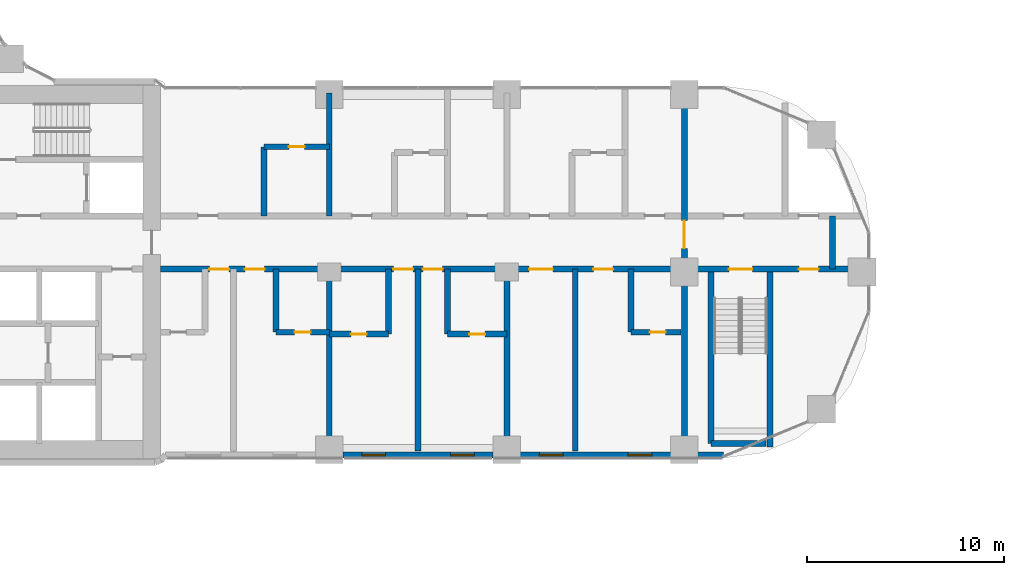
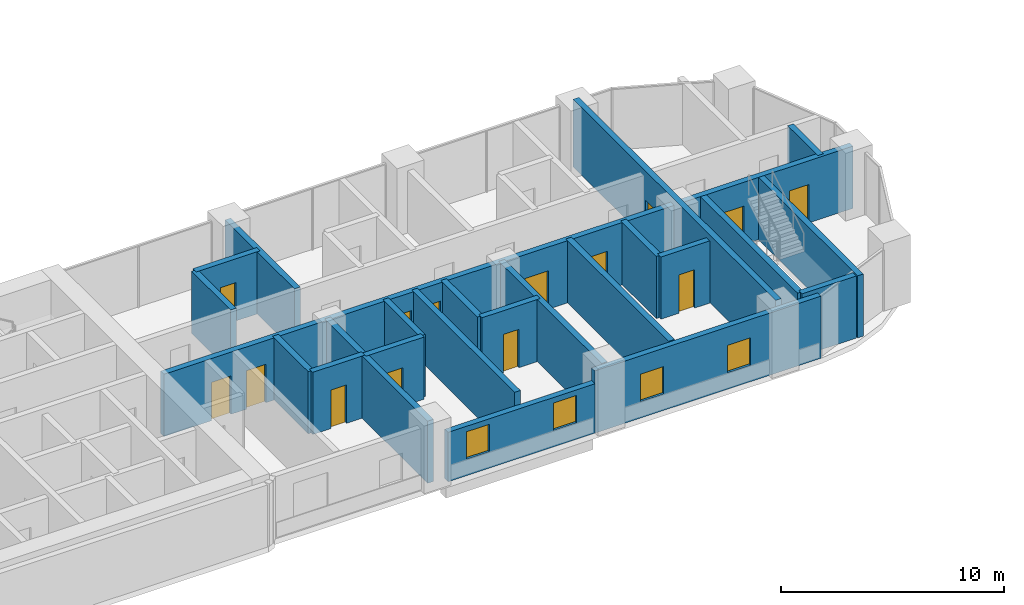
# One storey, part 18 of 31: 24 walls, 14 doors, 4 windows, 18 openings.
"""IFC4 building model written with IfcOpenShell, lengths in metres."""

import ifcopenshell
import ifcopenshell.guid

model = None  # the IFC model being written
_history = None  # IfcOwnerHistory: only IFC2X3 demands one
_inside = {}  # id of a spatial element -> (the spatial element, [elements in it])
_under = {}  # id of a project, library or spatial element -> (it, [spatial elements below it])
_declared = {}  # id of a project -> (the project, [libraries it declares])
_typed = {}  # id of a type object -> (the type object, [elements of that type])
_made_of = {}  # id of a material, layer set ... -> (it, [elements and type objects made of it])


def new_model(schema):
    """Start an empty IFC model of exactly this schema.

    Asked for "IFC4X3", IfcOpenShell would pick the latest addendum, in which some entities
    have other attributes; the version numbers below select the first issue.
    IFC2X3 requires an IfcOwnerHistory on every rooted entity: one is made here for all.
    """
    global model, _history
    if schema == "IFC4X3":
        model = ifcopenshell.file(schema_version=(4, 3, 0, 0))
    else:
        model = ifcopenshell.file(schema=schema)
    _inside.clear()
    _under.clear()
    _declared.clear()
    _typed.clear()
    _made_of.clear()
    _history = None
    if model.schema == "IFC2X3":
        org = make("IfcOrganization", Name="unknown")
        user = make(
            "IfcPersonAndOrganization",
            ThePerson=make("IfcPerson", FamilyName="unknown"),
            TheOrganization=org,
        )
        app = make(
            "IfcApplication",
            ApplicationDeveloper=org,
            Version="unknown",
            ApplicationFullName="unknown",
            ApplicationIdentifier="unknown",
        )
        _history = make(
            "IfcOwnerHistory",
            OwningUser=user,
            OwningApplication=app,
            ChangeAction="ADDED",
            CreationDate=0,
        )
    return model


def make(cls, **values):
    """One entity of the class cls with the attributes given. An attribute that is None is left unset."""
    return model.create_entity(
        cls, **{name: value for name, value in values.items() if value is not None}
    )


def rooted(cls, **values):
    """An entity with a GlobalId (a new one), such as an element, a storey or a relation."""
    return make(cls, GlobalId=ifcopenshell.guid.new(), OwnerHistory=_history, **values)


def si_unit(unit_type, name, prefix=None):
    """IfcSIUnit, for example si_unit("LENGTHUNIT", "METRE", prefix="MILLI")."""
    return make("IfcSIUnit", UnitType=unit_type, Prefix=prefix, Name=name)


def assignment(units):
    """IfcUnitAssignment: the units of a project."""
    return None if units is None else make("IfcUnitAssignment", Units=units)


def point(xyz):
    """IfcCartesianPoint."""
    return None if xyz is None else make("IfcCartesianPoint", Coordinates=xyz)


def direction(xyz):
    """IfcDirection."""
    return None if xyz is None else make("IfcDirection", DirectionRatios=xyz)


def frame(location, z_axis=None, x_axis=None):
    """IfcAxis2Placement3D, a coordinate frame: its origin and axes. An axis left out is left unset."""
    return make(
        "IfcAxis2Placement3D",
        Location=point(location),
        Axis=direction(z_axis),
        RefDirection=direction(x_axis),
    )


def frame_2d(location, x_axis=None):
    """IfcAxis2Placement2D, a coordinate frame in the plane: its origin and x axis."""
    return make(
        "IfcAxis2Placement2D", Location=point(location), RefDirection=direction(x_axis)
    )


def origin():
    """The frame at (0, 0, 0) with its axes left unset."""
    return frame((0.0, 0.0, 0.0))


def place(relative_to, where):
    """IfcLocalPlacement: puts the frame where relative to a parent placement (None: the world)."""
    return make(
        "IfcLocalPlacement", PlacementRelTo=relative_to, RelativePlacement=where
    )


def context(
    kind, dimensions, precision=None, world=None, true_north=None, identifier=None
):
    """IfcGeometricRepresentationContext, for example the 3D "Model" context."""
    return make(
        "IfcGeometricRepresentationContext",
        ContextIdentifier=identifier,
        ContextType=kind,
        CoordinateSpaceDimension=dimensions,
        Precision=precision,
        WorldCoordinateSystem=world,
        TrueNorth=true_north,
    )


def subcontext(parent, identifier, kind, view, scale=None):
    """IfcGeometricRepresentationSubContext, for example "Body" below "Model"."""
    return make(
        "IfcGeometricRepresentationSubContext",
        ContextIdentifier=identifier,
        ContextType=kind,
        ParentContext=parent,
        TargetScale=scale,
        TargetView=view,
    )


def project(units=None, contexts=None):
    """IfcProject with its units and contexts."""
    return rooted(
        "IfcProject",
        Name="project",
        RepresentationContexts=contexts,
        UnitsInContext=assignment(units),
    )


def spatial(cls, under=None, at=None, **own):
    """A site, building, storey or space (cls), placed at a placement, below another one or the project."""
    s = rooted(cls, ObjectPlacement=at, **own)
    if under is not None:
        _under.setdefault(under.id(), (under, []))[1].append(s)
    return s


def profile(cls, at=None, kind="AREA", **sizes):
    """A parametric profile (cls). Its sizes go by their IFC names, for example OverallWidth=200.0."""
    return make(cls, ProfileType=kind, Position=at, **sizes)


def rectangle(**sizes):
    """IfcRectangleProfileDef."""
    return profile("IfcRectangleProfileDef", **sizes)


def extrude(swept, where, along, depth):
    """IfcExtrudedAreaSolid: the profile swept, set in the frame where, extruded along a direction by depth."""
    return make(
        "IfcExtrudedAreaSolid",
        SweptArea=swept,
        Position=where,
        ExtrudedDirection=direction(along),
        Depth=depth,
    )


def shape(context_of_items, identifier, shape_type, items):
    """IfcShapeRepresentation: the items that make up one representation, for example the "Body"."""
    return make(
        "IfcShapeRepresentation",
        ContextOfItems=context_of_items,
        RepresentationIdentifier=identifier,
        RepresentationType=shape_type,
        Items=items,
    )


def material(Name=None, Category=None):
    """IfcMaterial."""
    return make("IfcMaterial", Name=Name, Category=Category)


def layer(
    of_material, thickness, ventilated=None, Name=None, Category=None, Priority=None
):
    """IfcMaterialLayer: one layer of a wall or slab, of a material (None: an air gap)."""
    return make(
        "IfcMaterialLayer",
        Material=of_material,
        LayerThickness=thickness,
        IsVentilated=ventilated,
        Name=Name,
        Category=Category,
        Priority=Priority,
    )


def layer_set(layers, Name=None):
    """IfcMaterialLayerSet."""
    return make("IfcMaterialLayerSet", MaterialLayers=layers, LayerSetName=Name)


def made_of(thing, what):
    """Note that an element or type object is made of a material, layer set ...; save() writes the relation."""
    if what is not None:
        _made_of.setdefault(what.id(), (what, []))[1].append(thing)
    return thing


def type_object(cls, material=None, **own):
    """A type object (cls), such as IfcWallType, which elements share."""
    return made_of(rooted(cls, **own), material)


def element(
    cls,
    number,
    at=None,
    inside=None,
    cuts=None,
    type_object=None,
    material=None,
    context=None,
    identifier="Body",
    shape_type=None,
    held_by="IfcProductDefinitionShape",
    body=None,
    shapes=None,
    **own,
):
    """One element of the class cls, such as IfcWall. Its Tag is "e" and its number.

    at: its placement. inside: the storey or other place that contains it. cuts: it is an
    opening in that element (IfcRelVoidsElement). A single representation is given by context,
    identifier, shape_type and body (its items); several are given by shapes. held_by: the class
    of the entity that holds the representations. save() writes the other relations.
    """
    e = rooted(cls, Tag="e%d" % number, ObjectPlacement=at, **own)
    if body is not None:
        shapes = [shape(context, identifier, shape_type, body)]
    if shapes is not None:
        e.Representation = make(held_by, Representations=shapes)
    if inside is not None:
        _inside.setdefault(inside.id(), (inside, []))[1].append(e)
    if cuts is not None:
        rooted(
            "IfcRelVoidsElement", RelatingBuildingElement=cuts, RelatedOpeningElement=e
        )
    if type_object is not None:
        _typed.setdefault(type_object.id(), (type_object, []))[1].append(e)
    return made_of(e, material)


def fill(opening, filler):
    """IfcRelFillsElement: the door or window that sits in an opening."""
    return rooted(
        "IfcRelFillsElement",
        RelatingOpeningElement=opening,
        RelatedBuildingElement=filler,
    )


def aggregate(whole, parts):
    """IfcRelAggregates: a whole, such as a stair, and the parts it consists of."""
    return rooted("IfcRelAggregates", RelatingObject=whole, RelatedObjects=parts)


def save(model, path):
    """Write the relations noted so far, then the file.

    IfcRelAggregates (storeys below a building ...), IfcRelContainedInSpatialStructure (elements
    in a storey), IfcRelDefinesByType, IfcRelAssociatesMaterial and IfcRelDeclares: one each for
    every whole, place, type object, material and project.
    """
    for whole, parts in _under.values():
        aggregate(whole, parts)
    for where, things in _inside.values():
        rooted(
            "IfcRelContainedInSpatialStructure",
            RelatedElements=things,
            RelatingStructure=where,
        )
    for kind, things in _typed.values():
        rooted("IfcRelDefinesByType", RelatedObjects=things, RelatingType=kind)
    for what, things in _made_of.values():
        rooted("IfcRelAssociatesMaterial", RelatedObjects=things, RelatingMaterial=what)
    for by, libraries in _declared.values():
        rooted("IfcRelDeclares", RelatingContext=by, RelatedDefinitions=libraries)
    model.write(path)


model = new_model("IFC4")

# Units and contexts
model_context = context("Model", 3, precision=1e-05, world=origin(), true_north=direction((0.0, 1.0)))
body_context = subcontext(model_context, "Body", "Model", "MODEL_VIEW")
ifc_project = project(units=[si_unit("LENGTHUNIT", "METRE"), si_unit("AREAUNIT", "SQUARE_METRE"), si_unit("VOLUMEUNIT", "CUBIC_METRE"), si_unit("PLANEANGLEUNIT", "RADIAN"), si_unit("MASSUNIT", "GRAM", prefix="KILO")], contexts=[model_context])

# Site, building, storey
site_placement = place(None, origin())
site = spatial("IfcSite", under=ifc_project, at=site_placement, CompositionType="ELEMENT")
building_placement = place(site_placement, origin())
building = spatial("IfcBuilding", under=site, at=building_placement, Name="Ogive Portal Towers", CompositionType="ELEMENT")
storey_placement = place(building_placement, frame((0.0, 0.0, 40.89990234375)))
storey = spatial("IfcBuildingStorey", under=building, at=storey_placement, Name="L08", CompositionType="ELEMENT", Elevation=40.89990234375)

# Wall, openings, windows
ifc_material_1 = material(Name="Limestone cladding on lightweight block wall", Category="masonry")
ifc_layer_1 = layer(ifc_material_1, 0.300048828125)
ifc_layer_set_1 = layer_set([ifc_layer_1], Name="EXTERNAL WALL 300 STONE")
wall_type_1 = type_object("IfcWallType", Name="EXTERNAL WALL 300 STONE", PredefinedType="SOLIDWALL", material=ifc_layer_set_1)
wall_1_placement = place(storey_placement, frame((68.199951171875, 21.22509765625, 0.0), z_axis=(0.0, 0.0, 1.0), x_axis=(1.0, 0.0, 0.0)))
wall_1 = element("IfcWall", 1, at=wall_1_placement, inside=storey, type_object=wall_type_1, Name="A:L08:f21:r0:wall1", PredefinedType="SOLIDWALL", context=body_context, shape_type="SweptSolid", body=[
    extrude(rectangle(XDim=7.60009765625, YDim=0.300048828125, at=frame_2d((3.800048828125, 0.0))), origin(), (0.0, 0.0, 1.0), 2.7001953125),
])
opening_1_placement = place(wall_1_placement, frame((0.949951171875, 0.0, 0.89990234375)))
opening_1 = element("IfcOpeningElement", 2, at=opening_1_placement, cuts=wall_1, Name="Opening WN9", PredefinedType="OPENING", context=body_context, shape_type="SweptSolid", body=[
    extrude(rectangle(XDim=1.199951171875, YDim=1.5, at=frame_2d((0.60009765625, 0.75))), frame((0.0, 0.16015625, 0.0), z_axis=(0.0, -1.0, 0.0), x_axis=(1.0, 0.0, 0.0)), (0.0, 0.0, 1.0), 0.320068359375),
])
opening_2_placement = place(wall_1_placement, frame((5.449951171875, 0.0, 0.89990234375)))
opening_2 = element("IfcOpeningElement", 3, at=opening_2_placement, cuts=wall_1, Name="Opening WN9", PredefinedType="OPENING", context=body_context, shape_type="SweptSolid", body=[
    extrude(rectangle(XDim=1.199951171875, YDim=1.5, at=frame_2d((0.60009765625, 0.75))), frame((0.0, 0.16015625, 0.0), z_axis=(0.0, -1.0, 0.0), x_axis=(1.0, 0.0, 0.0)), (0.0, 0.0, 1.0), 0.320068359375),
])
ifc_material_2 = material(Name="Glass, clear low-iron insulated glazing", Category="glass")
window_type = type_object("IfcWindowType", Name="WINDOW HOTEL CASEMENT 1200x1500", PartitioningType="DOUBLE_PANEL_VERTICAL", PredefinedType="WINDOW", material=ifc_material_2)
window_1_placement = place(opening_1_placement, origin())
window_1 = element("IfcWindow", 4, at=window_1_placement, inside=storey, type_object=window_type, Name="A:L08:f21:r0:w2", OverallHeight=1.5, OverallWidth=1.199951171875, PartitioningType="SINGLE_PANEL", PredefinedType="WINDOW", context=body_context, shape_type="SweptSolid", body=[
    extrude(rectangle(XDim=1.199951171875, YDim=1.5, at=frame_2d((0.60009765625, 0.75))), frame((0.0, 0.030029296875, 0.0), z_axis=(0.0, -1.0, 0.0), x_axis=(1.0, 0.0, 0.0)), (0.0, 0.0, 1.0), 0.06005859375),
])
fill(opening_1, window_1)
window_2_placement = place(opening_2_placement, origin())
window_2 = element("IfcWindow", 5, at=window_2_placement, inside=storey, type_object=window_type, Name="A:L08:f21:r0:w3", OverallHeight=1.5, OverallWidth=1.199951171875, PartitioningType="SINGLE_PANEL", PredefinedType="WINDOW", context=body_context, shape_type="SweptSolid", body=[
    extrude(rectangle(XDim=1.199951171875, YDim=1.5, at=frame_2d((0.60009765625, 0.75))), frame((0.0, 0.030029296875, 0.0), z_axis=(0.0, -1.0, 0.0), x_axis=(1.0, 0.0, 0.0)), (0.0, 0.0, 1.0), 0.06005859375),
])
fill(opening_2, window_2)

wall_2_placement = place(storey_placement, frame((75.800048828125, 21.22509765625, 0.0), z_axis=(0.0, 0.0, 1.0), x_axis=(1.0, 0.0, 0.0)))
wall_2 = element("IfcWall", 6, at=wall_2_placement, inside=storey, type_object=wall_type_1, Name="A:L08:f21:r0:wall2", PredefinedType="SOLIDWALL", context=body_context, shape_type="SweptSolid", body=[
    extrude(rectangle(XDim=11.68408203125, YDim=0.300048828125, at=frame_2d((5.842041015625, 0.0))), origin(), (0.0, 0.0, 1.0), 3.400146484375),
])
opening_3_placement = place(wall_2_placement, frame((2.35009765625, 0.0, 0.89990234375)))
opening_3 = element("IfcOpeningElement", 7, at=opening_3_placement, cuts=wall_2, Name="Opening WN9", PredefinedType="OPENING", context=body_context, shape_type="SweptSolid", body=[
    extrude(rectangle(XDim=1.199951171875, YDim=1.5, at=frame_2d((0.60009765625, 0.75))), frame((0.0, 0.16015625, 0.0), z_axis=(0.0, -1.0, 0.0), x_axis=(1.0, 0.0, 0.0)), (0.0, 0.0, 1.0), 0.320068359375),
])
opening_4_placement = place(wall_2_placement, frame((6.85009765625, 0.0, 0.89990234375)))
opening_4 = element("IfcOpeningElement", 8, at=opening_4_placement, cuts=wall_2, Name="Opening WN9", PredefinedType="OPENING", context=body_context, shape_type="SweptSolid", body=[
    extrude(rectangle(XDim=1.199951171875, YDim=1.5, at=frame_2d((0.60009765625, 0.75))), frame((0.0, 0.16015625, 0.0), z_axis=(0.0, -1.0, 0.0), x_axis=(1.0, 0.0, 0.0)), (0.0, 0.0, 1.0), 0.320068359375),
])
window_3_placement = place(opening_3_placement, origin())
window_3 = element("IfcWindow", 9, at=window_3_placement, inside=storey, type_object=window_type, Name="A:L08:f21:r0:w4", OverallHeight=1.5, OverallWidth=1.199951171875, PartitioningType="SINGLE_PANEL", PredefinedType="WINDOW", context=body_context, shape_type="SweptSolid", body=[
    extrude(rectangle(XDim=1.199951171875, YDim=1.5, at=frame_2d((0.60009765625, 0.75))), frame((0.0, 0.030029296875, 0.0), z_axis=(0.0, -1.0, 0.0), x_axis=(1.0, 0.0, 0.0)), (0.0, 0.0, 1.0), 0.06005859375),
])
fill(opening_3, window_3)
window_4_placement = place(opening_4_placement, origin())
window_4 = element("IfcWindow", 10, at=window_4_placement, inside=storey, type_object=window_type, Name="A:L08:f21:r0:w5", OverallHeight=1.5, OverallWidth=1.199951171875, PartitioningType="SINGLE_PANEL", PredefinedType="WINDOW", context=body_context, shape_type="SweptSolid", body=[
    extrude(rectangle(XDim=1.199951171875, YDim=1.5, at=frame_2d((0.60009765625, 0.75))), frame((0.0, 0.030029296875, 0.0), z_axis=(0.0, -1.0, 0.0), x_axis=(1.0, 0.0, 0.0)), (0.0, 0.0, 1.0), 0.06005859375),
])
fill(opening_4, window_4)

# Wall, opening, door
ifc_material_3 = material(Name="Concrete C60/75", Category="concrete")
ifc_layer_2 = layer(ifc_material_3, 0.300048828125)
ifc_layer_set_2 = layer_set([ifc_layer_2], Name="REVEAL WALL 300 C60")
wall_type_2 = type_object("IfcWallType", Name="REVEAL WALL 300 C60", PredefinedType="SHEAR", material=ifc_layer_set_2)
wall_3_placement = place(storey_placement, frame((85.5, 21.425048828125, 0.0), z_axis=(0.0, 0.0, 1.0), x_axis=(0.0, 1.0, 0.0)))
wall_3 = element("IfcWall", 11, at=wall_3_placement, inside=storey, type_object=wall_type_2, Name="Portal reveal wall L08", PredefinedType="SHEAR", context=body_context, shape_type="SweptSolid", body=[
    extrude(rectangle(XDim=18.14990234375, YDim=0.300048828125, at=frame_2d((9.074951171875, 0.0))), origin(), (0.0, 0.0, 1.0), 3.7001953125),
])
opening_5_placement = place(wall_3_placement, frame((10.27490234375, 0.0, 0.0)))
opening_5 = element("IfcOpeningElement", 12, at=opening_5_placement, cuts=wall_3, Name="Opening D01-072", PredefinedType="OPENING", context=body_context, shape_type="SweptSolid", body=[
    extrude(rectangle(XDim=1.39990234375, YDim=2.10009765625, at=frame_2d((0.699951171875, 1.050048828125))), frame((0.0, 0.16015625, 0.0), z_axis=(0.0, -1.0, 0.0), x_axis=(1.0, 0.0, 0.0)), (0.0, 0.0, 1.0), 0.320068359375),
])
ifc_material_4 = material(Name="Steel fire door", Category="steel")
door_type_1 = type_object("IfcDoorType", Name="DT-STAIR-1400x2100-FD90S", OperationType="SINGLE_SWING_LEFT", PredefinedType="DOOR", material=ifc_material_4)
door_1_placement = place(opening_5_placement, origin())
door_1 = element("IfcDoor", 13, at=door_1_placement, inside=storey, type_object=door_type_1, Name="Door D01-072", OperationType="SINGLE_SWING_RIGHT", OverallHeight=2.10009765625, OverallWidth=1.39990234375, PredefinedType="DOOR", context=body_context, shape_type="SweptSolid", body=[
    extrude(rectangle(XDim=1.39990234375, YDim=2.10009765625, at=frame_2d((0.699951171875, 1.050048828125))), frame((0.0, 0.02490234375, 0.0), z_axis=(0.0, -1.0, 0.0), x_axis=(1.0, 0.0, 0.0)), (0.0, 0.0, 1.0), 0.050048828125),
])
fill(opening_5, door_1)

# Wall
ifc_material_5 = material(Name="Concrete C50/60", Category="concrete")
ifc_layer_3 = layer(ifc_material_5, 0.300048828125)
ifc_layer_set_3 = layer_set([ifc_layer_3], Name="STAIR WALL 300 C50")
wall_type_3 = type_object("IfcWallType", Name="STAIR WALL 300 C50", PredefinedType="SHEAR", material=ifc_layer_set_3)
wall_4_placement = place(storey_placement, frame((86.85009765625, 21.800048828125, 0.0), z_axis=(0.0, 0.0, 1.0), x_axis=(1.0, 0.0, 0.0)))
element("IfcWall", 14, at=wall_4_placement, inside=storey, type_object=wall_type_3, Name="Stair wall ST-A4 L08", PredefinedType="SHEAR", context=body_context, shape_type="SweptSolid", body=[
    extrude(rectangle(XDim=2.796875, YDim=0.300048828125, at=frame_2d((1.3984375, 0.0))), origin(), (0.0, 0.0, 1.0), 3.400146484375),
])

# Wall, openings, doors
wall_5_placement = place(storey_placement, frame((85.669921875, 30.64990234375, 0.0), z_axis=(0.0, 0.0, 1.0), x_axis=(1.0, 0.0, 0.0)))
wall_5 = element("IfcWall", 15, at=wall_5_placement, inside=storey, type_object=wall_type_3, Name="Stair wall ST-A4 L08", PredefinedType="SHEAR", context=body_context, shape_type="SweptSolid", body=[
    extrude(rectangle(XDim=8.905029296875, YDim=0.300048828125, at=frame_2d((4.45263671875, 0.0))), origin(), (0.0, 0.0, 1.0), 3.400146484375),
])
opening_6_placement = place(wall_5_placement, frame((2.080078125, 0.0, 0.0)))
opening_6 = element("IfcOpeningElement", 16, at=opening_6_placement, cuts=wall_5, Name="Opening D01-067", PredefinedType="OPENING", context=body_context, shape_type="SweptSolid", body=[
    extrude(rectangle(XDim=1.199951171875, YDim=2.10009765625, at=frame_2d((0.60009765625, 1.050048828125))), frame((0.0, 0.16015625, 0.0), z_axis=(0.0, -1.0, 0.0), x_axis=(1.0, 0.0, 0.0)), (0.0, 0.0, 1.0), 0.320068359375),
])
opening_7_placement = place(wall_5_placement, frame((5.6298828125, 0.0, 0.0)))
opening_7 = element("IfcOpeningElement", 17, at=opening_7_placement, cuts=wall_5, Name="Opening D01-070", PredefinedType="OPENING", context=body_context, shape_type="SweptSolid", body=[
    extrude(rectangle(XDim=1.0, YDim=2.10009765625, at=frame_2d((0.5, 1.050048828125))), frame((0.0, 0.16015625, 0.0), z_axis=(0.0, -1.0, 0.0), x_axis=(1.0, 0.0, 0.0)), (0.0, 0.0, 1.0), 0.320068359375),
])
door_type_2 = type_object("IfcDoorType", Name="DT-SERVICE-1000x2100-FD90S", OperationType="SINGLE_SWING_LEFT", PredefinedType="DOOR", material=ifc_material_4)
door_2_placement = place(opening_7_placement, origin())
door_2 = element("IfcDoor", 18, at=door_2_placement, inside=storey, type_object=door_type_2, Name="Door D01-070", OperationType="SINGLE_SWING_LEFT", OverallHeight=2.10009765625, OverallWidth=1.0, PredefinedType="DOOR", context=body_context, shape_type="SweptSolid", body=[
    extrude(rectangle(XDim=1.0, YDim=2.10009765625, at=frame_2d((0.5, 1.050048828125))), frame((0.0, 0.02490234375, 0.0), z_axis=(0.0, -1.0, 0.0), x_axis=(1.0, 0.0, 0.0)), (0.0, 0.0, 1.0), 0.050048828125),
])
fill(opening_7, door_2)
door_type_3 = type_object("IfcDoorType", Name="DT-STAIR-1200x2100-FD90S", OperationType="SINGLE_SWING_LEFT", PredefinedType="DOOR", material=ifc_material_4)
door_3_placement = place(opening_6_placement, origin())
door_3 = element("IfcDoor", 19, at=door_3_placement, inside=storey, type_object=door_type_3, Name="Door D01-067", OperationType="SINGLE_SWING_LEFT", OverallHeight=2.10009765625, OverallWidth=1.199951171875, PredefinedType="DOOR", context=body_context, shape_type="SweptSolid", body=[
    extrude(rectangle(XDim=1.199951171875, YDim=2.10009765625, at=frame_2d((0.60009765625, 1.050048828125))), frame((0.0, 0.02490234375, 0.0), z_axis=(0.0, -1.0, 0.0), x_axis=(1.0, 0.0, 0.0)), (0.0, 0.0, 1.0), 0.050048828125),
])
fill(opening_6, door_3)

# Walls
wall_6_placement = place(storey_placement, frame((86.85009765625, 21.800048828125, 0.0), z_axis=(0.0, 0.0, 1.0), x_axis=(0.0, 1.0, 0.0)))
element("IfcWall", 20, at=wall_6_placement, inside=storey, type_object=wall_type_3, Name="Stair wall ST-A4 L08", PredefinedType="SHEAR", context=body_context, shape_type="SweptSolid", body=[
    extrude(rectangle(XDim=8.849853515625, YDim=0.300048828125, at=frame_2d((4.4248046875, 0.0))), origin(), (0.0, 0.0, 1.0), 3.400146484375),
])
wall_7_placement = place(storey_placement, frame((89.85009765625, 21.6240234375, 0.0), z_axis=(0.0, 0.0, 1.0), x_axis=(0.0, 1.0, 0.0)))
element("IfcWall", 21, at=wall_7_placement, inside=storey, type_object=wall_type_3, Name="Stair wall ST-A4 L08", PredefinedType="SHEAR", context=body_context, shape_type="SweptSolid", body=[
    extrude(rectangle(XDim=9.02587890625, YDim=0.300048828125, at=frame_2d((4.512939453125, 0.0))), origin(), (0.0, 0.0, 1.0), 3.400146484375),
])

# Wall, openings, doors
ifc_material_6 = material(Name="Gypsum board partition on steel studs", Category="steel")
ifc_layer_4 = layer(ifc_material_6, 0.300048828125)
ifc_layer_set_4 = layer_set([ifc_layer_4], Name="WT-PART-300-EI 120")
wall_type_4 = type_object("IfcWallType", Name="WT-PART-300-EI 120", PredefinedType="PARTITIONING", material=ifc_layer_set_4)
wall_8_placement = place(storey_placement, frame((58.949951171875, 30.64990234375, 0.0), z_axis=(0.0, 0.0, 1.0), x_axis=(1.0, 0.0, 0.0)))
wall_8 = element("IfcWall", 22, at=wall_8_placement, inside=storey, type_object=wall_type_4, Name="Wall L08:w007", PredefinedType="PARTITIONING", context=body_context, shape_type="SweptSolid", body=[
    extrude(rectangle(XDim=26.380126953125, YDim=0.300048828125, at=frame_2d((13.18994140625, 0.0))), origin(), (0.0, 0.0, 1.0), 3.400146484375),
])
opening_8_placement = place(wall_8_placement, frame((2.469970703125, 0.0, 0.0)))
opening_8 = element("IfcOpeningElement", 23, at=opening_8_placement, cuts=wall_8, Name="Opening D01-030", PredefinedType="OPENING", context=body_context, shape_type="SweptSolid", body=[
    extrude(rectangle(XDim=1.0, YDim=2.10009765625, at=frame_2d((0.5, 1.050048828125))), frame((0.0, 0.16015625, 0.0), z_axis=(0.0, -1.0, 0.0), x_axis=(1.0, 0.0, 0.0)), (0.0, 0.0, 1.0), 0.320068359375),
])
opening_9_placement = place(wall_8_placement, frame((4.27001953125, 0.0, 0.0)))
opening_9 = element("IfcOpeningElement", 24, at=opening_9_placement, cuts=wall_8, Name="Opening D01-032", PredefinedType="OPENING", context=body_context, shape_type="SweptSolid", body=[
    extrude(rectangle(XDim=1.0, YDim=2.10009765625, at=frame_2d((0.5, 1.050048828125))), frame((0.0, 0.16015625, 0.0), z_axis=(0.0, -1.0, 0.0), x_axis=(1.0, 0.0, 0.0)), (0.0, 0.0, 1.0), 0.320068359375),
])
opening_10_placement = place(wall_8_placement, frame((11.800048828125, 0.0, 0.0)))
opening_10 = element("IfcOpeningElement", 25, at=opening_10_placement, cuts=wall_8, Name="Opening D01-037", PredefinedType="OPENING", context=body_context, shape_type="SweptSolid", body=[
    extrude(rectangle(XDim=1.0, YDim=2.39990234375, at=frame_2d((0.5, 1.199951171875))), frame((0.0, 0.16015625, 0.0), z_axis=(0.0, -1.0, 0.0), x_axis=(1.0, 0.0, 0.0)), (0.0, 0.0, 1.0), 0.320068359375),
])
opening_11_placement = place(wall_8_placement, frame((13.300048828125, 0.0, 0.0)))
opening_11 = element("IfcOpeningElement", 26, at=opening_11_placement, cuts=wall_8, Name="Opening D01-039", PredefinedType="OPENING", context=body_context, shape_type="SweptSolid", body=[
    extrude(rectangle(XDim=1.0, YDim=2.39990234375, at=frame_2d((0.5, 1.199951171875))), frame((0.0, 0.16015625, 0.0), z_axis=(0.0, -1.0, 0.0), x_axis=(1.0, 0.0, 0.0)), (0.0, 0.0, 1.0), 0.320068359375),
])
opening_12_placement = place(wall_8_placement, frame((18.68505859375, 0.0, 0.0)))
opening_12 = element("IfcOpeningElement", 27, at=opening_12_placement, cuts=wall_8, Name="Opening D01-043", PredefinedType="OPENING", context=body_context, shape_type="SweptSolid", body=[
    extrude(rectangle(XDim=1.199951171875, YDim=2.10009765625, at=frame_2d((0.60009765625, 1.050048828125))), frame((0.0, 0.16015625, 0.0), z_axis=(0.0, -1.0, 0.0), x_axis=(1.0, 0.0, 0.0)), (0.0, 0.0, 1.0), 0.320068359375),
])
opening_13_placement = place(wall_8_placement, frame((21.93505859375, 0.0, 0.0)))
opening_13 = element("IfcOpeningElement", 28, at=opening_13_placement, cuts=wall_8, Name="Opening D01-045", PredefinedType="OPENING", context=body_context, shape_type="SweptSolid", body=[
    extrude(rectangle(XDim=1.0, YDim=2.10009765625, at=frame_2d((0.5, 1.050048828125))), frame((0.0, 0.16015625, 0.0), z_axis=(0.0, -1.0, 0.0), x_axis=(1.0, 0.0, 0.0)), (0.0, 0.0, 1.0), 0.320068359375),
])
door_type_4 = type_object("IfcDoorType", Name="DT-ENTRY-1000x2100-FD90S", OperationType="SINGLE_SWING_LEFT", PredefinedType="DOOR", material=ifc_material_4)
door_4_placement = place(opening_8_placement, origin())
door_4 = element("IfcDoor", 29, at=door_4_placement, inside=storey, type_object=door_type_4, Name="Door D01-030", OperationType="SINGLE_SWING_RIGHT", OverallHeight=2.10009765625, OverallWidth=1.0, PredefinedType="DOOR", context=body_context, shape_type="SweptSolid", body=[
    extrude(rectangle(XDim=1.0, YDim=2.10009765625, at=frame_2d((0.5, 1.050048828125))), frame((0.0, 0.02490234375, 0.0), z_axis=(0.0, -1.0, 0.0), x_axis=(1.0, 0.0, 0.0)), (0.0, 0.0, 1.0), 0.050048828125),
])
fill(opening_8, door_4)
door_5_placement = place(opening_9_placement, origin())
door_5 = element("IfcDoor", 30, at=door_5_placement, inside=storey, type_object=door_type_4, Name="Door D01-032", OperationType="SINGLE_SWING_LEFT", OverallHeight=2.10009765625, OverallWidth=1.0, PredefinedType="DOOR", context=body_context, shape_type="SweptSolid", body=[
    extrude(rectangle(XDim=1.0, YDim=2.10009765625, at=frame_2d((0.5, 1.050048828125))), frame((0.0, 0.02490234375, 0.0), z_axis=(0.0, -1.0, 0.0), x_axis=(1.0, 0.0, 0.0)), (0.0, 0.0, 1.0), 0.050048828125),
])
fill(opening_9, door_5)
door_6_placement = place(opening_13_placement, origin())
door_6 = element("IfcDoor", 31, at=door_6_placement, inside=storey, type_object=door_type_4, Name="Door D01-045", OperationType="SINGLE_SWING_RIGHT", OverallHeight=2.10009765625, OverallWidth=1.0, PredefinedType="DOOR", context=body_context, shape_type="SweptSolid", body=[
    extrude(rectangle(XDim=1.0, YDim=2.10009765625, at=frame_2d((0.5, 1.050048828125))), frame((0.0, 0.02490234375, 0.0), z_axis=(0.0, -1.0, 0.0), x_axis=(1.0, 0.0, 0.0)), (0.0, 0.0, 1.0), 0.050048828125),
])
fill(opening_13, door_6)
door_type_5 = type_object("IfcDoorType", Name="DT-ENTRY-1000x2400-FD90S", OperationType="SINGLE_SWING_LEFT", PredefinedType="DOOR", material=ifc_material_4)
door_7_placement = place(opening_10_placement, origin())
door_7 = element("IfcDoor", 32, at=door_7_placement, inside=storey, type_object=door_type_5, Name="Door D01-037", OperationType="SINGLE_SWING_LEFT", OverallHeight=2.39990234375, OverallWidth=1.0, PredefinedType="DOOR", context=body_context, shape_type="SweptSolid", body=[
    extrude(rectangle(XDim=1.0, YDim=2.39990234375, at=frame_2d((0.5, 1.199951171875))), frame((0.0, 0.02490234375, 0.0), z_axis=(0.0, -1.0, 0.0), x_axis=(1.0, 0.0, 0.0)), (0.0, 0.0, 1.0), 0.050048828125),
])
fill(opening_10, door_7)
door_8_placement = place(opening_11_placement, origin())
door_8 = element("IfcDoor", 33, at=door_8_placement, inside=storey, type_object=door_type_5, Name="Door D01-039", OperationType="SINGLE_SWING_RIGHT", OverallHeight=2.39990234375, OverallWidth=1.0, PredefinedType="DOOR", context=body_context, shape_type="SweptSolid", body=[
    extrude(rectangle(XDim=1.0, YDim=2.39990234375, at=frame_2d((0.5, 1.199951171875))), frame((0.0, 0.02490234375, 0.0), z_axis=(0.0, -1.0, 0.0), x_axis=(1.0, 0.0, 0.0)), (0.0, 0.0, 1.0), 0.050048828125),
])
fill(opening_11, door_8)
door_type_6 = type_object("IfcDoorType", Name="DT-ENTRY-1200x2100-FD90S", OperationType="SINGLE_SWING_LEFT", PredefinedType="DOOR", material=ifc_material_4)
door_9_placement = place(opening_12_placement, origin())
door_9 = element("IfcDoor", 34, at=door_9_placement, inside=storey, type_object=door_type_6, Name="Door D01-043", OperationType="SINGLE_SWING_LEFT", OverallHeight=2.10009765625, OverallWidth=1.199951171875, PredefinedType="DOOR", context=body_context, shape_type="SweptSolid", body=[
    extrude(rectangle(XDim=1.199951171875, YDim=2.10009765625, at=frame_2d((0.60009765625, 1.050048828125))), frame((0.0, 0.02490234375, 0.0), z_axis=(0.0, -1.0, 0.0), x_axis=(1.0, 0.0, 0.0)), (0.0, 0.0, 1.0), 0.050048828125),
])
fill(opening_12, door_9)

# Wall
wall_9_placement = place(storey_placement, frame((93.0, 30.64990234375, 0.0), z_axis=(0.0, 0.0, 1.0), x_axis=(0.0, 1.0, 0.0)))
element("IfcWall", 35, at=wall_9_placement, inside=storey, type_object=wall_type_4, Name="Wall L08:w068", PredefinedType="PARTITIONING", context=body_context, shape_type="SweptSolid", body=[
    extrude(rectangle(XDim=2.7001953125, YDim=0.300048828125, at=frame_2d((1.35009765625, 0.0))), origin(), (0.0, 0.0, 1.0), 3.400146484375),
])

# Wall, opening, door
ifc_layer_5 = layer(ifc_material_6, 0.300048828125)
ifc_layer_set_5 = layer_set([ifc_layer_5], Name="WT-PART-300-EI 60")
wall_type_5 = type_object("IfcWallType", Name="WT-PART-300-EI 60", PredefinedType="PARTITIONING", material=ifc_layer_set_5)
wall_10_placement = place(storey_placement, frame((67.5, 27.35009765625, 0.0), z_axis=(0.0, 0.0, 1.0), x_axis=(1.0, 0.0, 0.0)))
wall_10 = element("IfcWall", 36, at=wall_10_placement, inside=storey, type_object=wall_type_5, Name="Wall L08:w002", PredefinedType="PARTITIONING", context=body_context, shape_type="SweptSolid", body=[
    extrude(rectangle(XDim=3.0, YDim=0.300048828125, at=frame_2d((1.5, 0.0))), origin(), (0.0, 0.0, 1.0), 3.400146484375),
])
opening_14_placement = place(wall_10_placement, frame((1.10009765625, 0.0, 0.0)))
opening_14 = element("IfcOpeningElement", 37, at=opening_14_placement, cuts=wall_10, Name="Opening D01-036", PredefinedType="OPENING", context=body_context, shape_type="SweptSolid", body=[
    extrude(rectangle(XDim=0.800048828125, YDim=2.10009765625, at=frame_2d((0.39990234375, 1.050048828125))), frame((0.0, 0.16015625, 0.0), z_axis=(0.0, -1.0, 0.0), x_axis=(1.0, 0.0, 0.0)), (0.0, 0.0, 1.0), 0.320068359375),
])
door_type_7 = type_object("IfcDoorType", Name="DT-BATH-800x2100-FD60S", OperationType="SINGLE_SWING_LEFT", PredefinedType="DOOR", material=ifc_material_4)
door_10_placement = place(opening_14_placement, origin())
door_10 = element("IfcDoor", 38, at=door_10_placement, inside=storey, type_object=door_type_7, Name="Door D01-036", OperationType="SINGLE_SWING_LEFT", OverallHeight=2.10009765625, OverallWidth=0.800048828125, PredefinedType="DOOR", context=body_context, shape_type="SweptSolid", body=[
    extrude(rectangle(XDim=0.800048828125, YDim=2.10009765625, at=frame_2d((0.39990234375, 1.050048828125))), frame((0.0, 0.02490234375, 0.0), z_axis=(0.0, -1.0, 0.0), x_axis=(1.0, 0.0, 0.0)), (0.0, 0.0, 1.0), 0.050048828125),
])
fill(opening_14, door_10)

wall_11_placement = place(storey_placement, frame((73.5, 27.35009765625, 0.0), z_axis=(0.0, 0.0, 1.0), x_axis=(1.0, 0.0, 0.0)))
wall_11 = element("IfcWall", 39, at=wall_11_placement, inside=storey, type_object=wall_type_5, Name="Wall L08:w003", PredefinedType="PARTITIONING", context=body_context, shape_type="SweptSolid", body=[
    extrude(rectangle(XDim=3.0, YDim=0.300048828125, at=frame_2d((1.5, 0.0))), origin(), (0.0, 0.0, 1.0), 3.400146484375),
])
opening_15_placement = place(wall_11_placement, frame((1.10009765625, 0.0, 0.0)))
opening_15 = element("IfcOpeningElement", 40, at=opening_15_placement, cuts=wall_11, Name="Opening D01-038", PredefinedType="OPENING", context=body_context, shape_type="SweptSolid", body=[
    extrude(rectangle(XDim=0.800048828125, YDim=2.10009765625, at=frame_2d((0.39990234375, 1.050048828125))), frame((0.0, 0.16015625, 0.0), z_axis=(0.0, -1.0, 0.0), x_axis=(1.0, 0.0, 0.0)), (0.0, 0.0, 1.0), 0.320068359375),
])
door_11_placement = place(opening_15_placement, origin())
door_11 = element("IfcDoor", 41, at=door_11_placement, inside=storey, type_object=door_type_7, Name="Door D01-038", OperationType="SINGLE_SWING_LEFT", OverallHeight=2.10009765625, OverallWidth=0.800048828125, PredefinedType="DOOR", context=body_context, shape_type="SweptSolid", body=[
    extrude(rectangle(XDim=0.800048828125, YDim=2.10009765625, at=frame_2d((0.39990234375, 1.050048828125))), frame((0.0, 0.02490234375, 0.0), z_axis=(0.0, -1.0, 0.0), x_axis=(1.0, 0.0, 0.0)), (0.0, 0.0, 1.0), 0.050048828125),
])
fill(opening_15, door_11)

wall_12_placement = place(storey_placement, frame((64.800048828125, 27.449951171875, 0.0), z_axis=(0.0, 0.0, 1.0), x_axis=(1.0, 0.0, 0.0)))
wall_12 = element("IfcWall", 42, at=wall_12_placement, inside=storey, type_object=wall_type_5, Name="Wall L08:w005", PredefinedType="PARTITIONING", context=body_context, shape_type="SweptSolid", body=[
    extrude(rectangle(XDim=2.699951171875, YDim=0.300048828125, at=frame_2d((1.35009765625, 0.0))), origin(), (0.0, 0.0, 1.0), 3.400146484375),
])
opening_16_placement = place(wall_12_placement, frame((0.949951171875, 0.0, 0.0)))
opening_16 = element("IfcOpeningElement", 43, at=opening_16_placement, cuts=wall_12, Name="Opening D01-031", PredefinedType="OPENING", context=body_context, shape_type="SweptSolid", body=[
    extrude(rectangle(XDim=0.800048828125, YDim=2.10009765625, at=frame_2d((0.39990234375, 1.050048828125))), frame((0.0, 0.16015625, 0.0), z_axis=(0.0, -1.0, 0.0), x_axis=(1.0, 0.0, 0.0)), (0.0, 0.0, 1.0), 0.320068359375),
])
door_12_placement = place(opening_16_placement, origin())
door_12 = element("IfcDoor", 44, at=door_12_placement, inside=storey, type_object=door_type_7, Name="Door D01-031", OperationType="SINGLE_SWING_RIGHT", OverallHeight=2.10009765625, OverallWidth=0.800048828125, PredefinedType="DOOR", context=body_context, shape_type="SweptSolid", body=[
    extrude(rectangle(XDim=0.800048828125, YDim=2.10009765625, at=frame_2d((0.39990234375, 1.050048828125))), frame((0.0, 0.02490234375, 0.0), z_axis=(0.0, -1.0, 0.0), x_axis=(1.0, 0.0, 0.0)), (0.0, 0.0, 1.0), 0.050048828125),
])
fill(opening_16, door_12)

wall_13_placement = place(storey_placement, frame((82.800048828125, 27.449951171875, 0.0), z_axis=(0.0, 0.0, 1.0), x_axis=(1.0, 0.0, 0.0)))
wall_13 = element("IfcWall", 45, at=wall_13_placement, inside=storey, type_object=wall_type_5, Name="Wall L08:w006", PredefinedType="PARTITIONING", context=body_context, shape_type="SweptSolid", body=[
    extrude(rectangle(XDim=2.530029296875, YDim=0.300048828125, at=frame_2d((1.26513671875, 0.0))), origin(), (0.0, 0.0, 1.0), 3.400146484375),
])
opening_17_placement = place(wall_13_placement, frame((0.949951171875, 0.0, 0.0)))
opening_17 = element("IfcOpeningElement", 46, at=opening_17_placement, cuts=wall_13, Name="Opening D01-044", PredefinedType="OPENING", context=body_context, shape_type="SweptSolid", body=[
    extrude(rectangle(XDim=0.800048828125, YDim=2.10009765625, at=frame_2d((0.39990234375, 1.050048828125))), frame((0.0, 0.16015625, 0.0), z_axis=(0.0, -1.0, 0.0), x_axis=(1.0, 0.0, 0.0)), (0.0, 0.0, 1.0), 0.320068359375),
])
door_13_placement = place(opening_17_placement, origin())
door_13 = element("IfcDoor", 47, at=door_13_placement, inside=storey, type_object=door_type_7, Name="Door D01-044", OperationType="SINGLE_SWING_LEFT", OverallHeight=2.10009765625, OverallWidth=0.800048828125, PredefinedType="DOOR", context=body_context, shape_type="SweptSolid", body=[
    extrude(rectangle(XDim=0.800048828125, YDim=2.10009765625, at=frame_2d((0.39990234375, 1.050048828125))), frame((0.0, 0.02490234375, 0.0), z_axis=(0.0, -1.0, 0.0), x_axis=(1.0, 0.0, 0.0)), (0.0, 0.0, 1.0), 0.050048828125),
])
fill(opening_17, door_13)

wall_14_placement = place(storey_placement, frame((64.199951171875, 36.85009765625, 0.0), z_axis=(0.0, 0.0, 1.0), x_axis=(1.0, 0.0, 0.0)))
wall_14 = element("IfcWall", 48, at=wall_14_placement, inside=storey, type_object=wall_type_5, Name="Wall L08:w013", PredefinedType="PARTITIONING", context=body_context, shape_type="SweptSolid", body=[
    extrude(rectangle(XDim=3.300048828125, YDim=0.300048828125, at=frame_2d((1.64990234375, 0.0))), origin(), (0.0, 0.0, 1.0), 3.400146484375),
])
opening_18_placement = place(wall_14_placement, frame((1.25, 0.0, 0.0)))
opening_18 = element("IfcOpeningElement", 49, at=opening_18_placement, cuts=wall_14, Name="Opening D01-027", PredefinedType="OPENING", context=body_context, shape_type="SweptSolid", body=[
    extrude(rectangle(XDim=0.800048828125, YDim=2.10009765625, at=frame_2d((0.39990234375, 1.050048828125))), frame((0.0, 0.16015625, 0.0), z_axis=(0.0, -1.0, 0.0), x_axis=(1.0, 0.0, 0.0)), (0.0, 0.0, 1.0), 0.320068359375),
])
door_14_placement = place(opening_18_placement, origin())
door_14 = element("IfcDoor", 50, at=door_14_placement, inside=storey, type_object=door_type_7, Name="Door D01-027", OperationType="SINGLE_SWING_LEFT", OverallHeight=2.10009765625, OverallWidth=0.800048828125, PredefinedType="DOOR", context=body_context, shape_type="SweptSolid", body=[
    extrude(rectangle(XDim=0.800048828125, YDim=2.10009765625, at=frame_2d((0.39990234375, 1.050048828125))), frame((0.0, 0.02490234375, 0.0), z_axis=(0.0, -1.0, 0.0), x_axis=(1.0, 0.0, 0.0)), (0.0, 0.0, 1.0), 0.050048828125),
])
fill(opening_18, door_14)

# Walls
wall_15_placement = place(storey_placement, frame((64.199951171875, 33.35009765625, 0.0), z_axis=(0.0, 0.0, 1.0), x_axis=(0.0, 1.0, 0.0)))
element("IfcWall", 51, at=wall_15_placement, inside=storey, type_object=wall_type_5, Name="Wall L08:w050", PredefinedType="PARTITIONING", context=body_context, shape_type="SweptSolid", body=[
    extrude(rectangle(XDim=3.5, YDim=0.300048828125, at=frame_2d((1.75, 0.0))), origin(), (0.0, 0.0, 1.0), 3.400146484375),
])
wall_16_placement = place(storey_placement, frame((64.800048828125, 27.449951171875, 0.0), z_axis=(0.0, 0.0, 1.0), x_axis=(0.0, 1.0, 0.0)))
element("IfcWall", 52, at=wall_16_placement, inside=storey, type_object=wall_type_5, Name="Wall L08:w051", PredefinedType="PARTITIONING", context=body_context, shape_type="SweptSolid", body=[
    extrude(rectangle(XDim=3.199951171875, YDim=0.300048828125, at=frame_2d((1.60009765625, 0.0))), origin(), (0.0, 0.0, 1.0), 3.400146484375),
])
wall_17_placement = place(storey_placement, frame((67.5, 21.425048828125, 0.0), z_axis=(0.0, 0.0, 1.0), x_axis=(0.0, 1.0, 0.0)))
element("IfcWall", 53, at=wall_17_placement, inside=storey, type_object=wall_type_5, Name="Wall L08:w052", PredefinedType="PARTITIONING", context=body_context, shape_type="SweptSolid", body=[
    extrude(rectangle(XDim=9.224853515625, YDim=0.300048828125, at=frame_2d((4.6123046875, 0.0))), origin(), (0.0, 0.0, 1.0), 3.400146484375),
])
wall_18_placement = place(storey_placement, frame((67.5, 33.35009765625, 0.0), z_axis=(0.0, 0.0, 1.0), x_axis=(0.0, 1.0, 0.0)))
element("IfcWall", 54, at=wall_18_placement, inside=storey, type_object=wall_type_5, Name="Wall L08:w053", PredefinedType="PARTITIONING", context=body_context, shape_type="SweptSolid", body=[
    extrude(rectangle(XDim=6.224853515625, YDim=0.300048828125, at=frame_2d((3.1123046875, 0.0))), origin(), (0.0, 0.0, 1.0), 3.400146484375),
])
wall_19_placement = place(storey_placement, frame((70.5, 27.35009765625, 0.0), z_axis=(0.0, 0.0, 1.0), x_axis=(0.0, 1.0, 0.0)))
element("IfcWall", 55, at=wall_19_placement, inside=storey, type_object=wall_type_5, Name="Wall L08:w054", PredefinedType="PARTITIONING", context=body_context, shape_type="SweptSolid", body=[
    extrude(rectangle(XDim=3.2998046875, YDim=0.300048828125, at=frame_2d((1.64990234375, 0.0))), origin(), (0.0, 0.0, 1.0), 3.400146484375),
])
wall_20_placement = place(storey_placement, frame((72.0, 21.425048828125, 0.0), z_axis=(0.0, 0.0, 1.0), x_axis=(0.0, 1.0, 0.0)))
element("IfcWall", 56, at=wall_20_placement, inside=storey, type_object=wall_type_5, Name="Wall L08:w056", PredefinedType="PARTITIONING", context=body_context, shape_type="SweptSolid", body=[
    extrude(rectangle(XDim=9.224853515625, YDim=0.300048828125, at=frame_2d((4.6123046875, 0.0))), origin(), (0.0, 0.0, 1.0), 3.400146484375),
])
wall_21_placement = place(storey_placement, frame((73.5, 27.35009765625, 0.0), z_axis=(0.0, 0.0, 1.0), x_axis=(0.0, 1.0, 0.0)))
element("IfcWall", 57, at=wall_21_placement, inside=storey, type_object=wall_type_5, Name="Wall L08:w057", PredefinedType="PARTITIONING", context=body_context, shape_type="SweptSolid", body=[
    extrude(rectangle(XDim=3.2998046875, YDim=0.300048828125, at=frame_2d((1.64990234375, 0.0))), origin(), (0.0, 0.0, 1.0), 3.400146484375),
])
for number, where, z_axis, x_axis, name in (
    (58, (76.5, 21.425048828125, 0.0), (0.0, 0.0, 1.0), (0.0, 1.0, 0.0), "Wall L08:w059"),
    (59, (79.969970703125, 21.425048828125, 0.0), (0.0, 0.0, 1.0), (0.0, 1.0, 0.0), "Wall L08:w062"),
):
    element("IfcWall", number, at=place(storey_placement, frame(where, z_axis=z_axis, x_axis=x_axis)), inside=storey, type_object=wall_type_5, Name=name, PredefinedType="PARTITIONING", context=body_context, shape_type="SweptSolid", body=[
        extrude(rectangle(XDim=9.224853515625, YDim=0.300048828125, at=frame_2d((4.6123046875, 0.0))), origin(), (0.0, 0.0, 1.0), 3.400146484375),
    ])
wall_22_placement = place(storey_placement, frame((82.800048828125, 27.449951171875, 0.0), z_axis=(0.0, 0.0, 1.0), x_axis=(0.0, 1.0, 0.0)))
element("IfcWall", 60, at=wall_22_placement, inside=storey, type_object=wall_type_5, Name="Wall L08:w064", PredefinedType="PARTITIONING", context=body_context, shape_type="SweptSolid", body=[
    extrude(rectangle(XDim=3.199951171875, YDim=0.300048828125, at=frame_2d((1.60009765625, 0.0))), origin(), (0.0, 0.0, 1.0), 3.400146484375),
])

save(model, "model.ifc")
